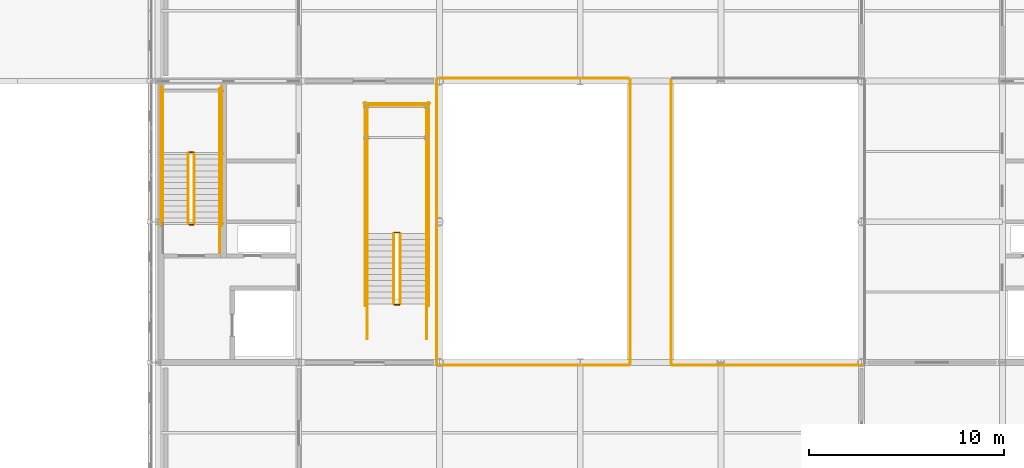
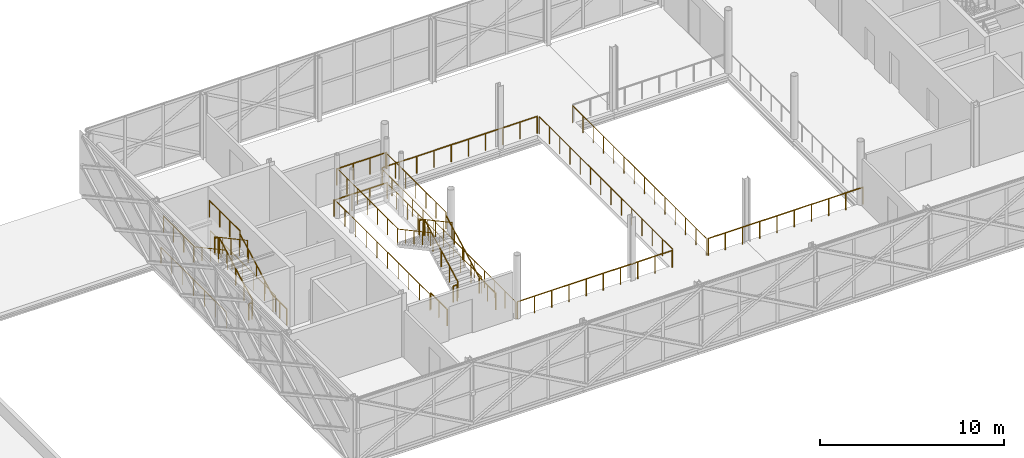
# One storey, part 97 of 103: 31 railings.
"""IFC4 building model written with IfcOpenShell, lengths in metres."""

from ifc_helpers import new_model, si_unit, direction, frame, origin, origin_2d, place, context, subcontext, project, spatial, circle, extrude, material, type_object, element, save


model = new_model("IFC4")

# Units and contexts
model_context = context("Model", 3, precision=1e-05, world=origin(), true_north=direction((0.0, 1.0)))
body_context = subcontext(model_context, "Body", "Model", "MODEL_VIEW")
ifc_project = project(units=[si_unit("LENGTHUNIT", "METRE"), si_unit("AREAUNIT", "SQUARE_METRE"), si_unit("VOLUMEUNIT", "CUBIC_METRE"), si_unit("PLANEANGLEUNIT", "RADIAN"), si_unit("MASSUNIT", "GRAM", prefix="KILO")], contexts=[model_context])

# Site, building, storey
site_placement = place(None, origin())
site = spatial("IfcSite", under=ifc_project, at=site_placement, CompositionType="ELEMENT")
building_placement = place(site_placement, origin())
building = spatial("IfcBuilding", under=site, at=building_placement, Name="Zlatovets Crest Museum", CompositionType="ELEMENT")
storey_placement = place(building_placement, frame((0.0, 0.0, 12.89990234375)))
storey = spatial("IfcBuildingStorey", under=building, at=storey_placement, Name="L03", CompositionType="ELEMENT", Elevation=12.89990234375)

# Railings
ifc_material_1 = material(Name="Art Nouveau bronze and laminated glass atrium balustrade", Category="glass")
railing_type_1 = type_object("IfcRailingType", Name="AtriumGuard_AG01", PredefinedType="BALUSTRADE", material=ifc_material_1)
railing_1_placement = place(storey_placement, frame((70.0, 10.199951171875, 0.16162109375)))
element("IfcRailing", 1, at=railing_1_placement, inside=storey, type_object=railing_type_1, Name="L03 ST6 stair guard 1", PredefinedType="BALUSTRADE", context=body_context, shape_type="SweptSolid", body=[
    extrude(circle(Radius=0.02392578125, at=origin_2d()), frame((0.0, 0.0, 1.076171875), z_axis=(0.0, 0.880474934443, 0.474092701714), x_axis=(-1.0, 0.0, 0.0)), (0.0, 0.0, 1.0), 4.0888671875),
    extrude(circle(Radius=0.02099609375, at=origin_2d()), origin(), (0.0, 0.0, 1.0), 1.052001953125),
    extrude(circle(Radius=0.02099609375, at=origin_2d()), frame((0.0, 0.89990234375, 0.484619140625)), (0.0, 0.0, 1.0), 1.052001953125),
    extrude(circle(Radius=0.02099609375, at=origin_2d()), frame((0.0, 1.800048828125, 0.96923828125)), (0.0, 0.0, 1.0), 1.052001953125),
    extrude(circle(Radius=0.02099609375, at=origin_2d()), frame((0.0, 2.7001953125, 1.453857421875)), (0.0, 0.0, 1.0), 1.052001953125),
    extrude(circle(Radius=0.02099609375, at=origin_2d()), frame((0.0, 3.60009765625, 1.9384765625)), (0.0, 0.0, 1.0), 1.052001953125),
])
railing_2_placement = place(storey_placement, frame((69.949951171875, 13.85009765625, 2.10009765625)))
element("IfcRailing", 2, at=railing_2_placement, inside=storey, type_object=railing_type_1, Name="L03 ST6 stair guard 2", PredefinedType="BALUSTRADE", context=body_context, shape_type="SweptSolid", body=[
    extrude(circle(Radius=0.02392578125, at=origin_2d()), frame((0.0, 0.0, 1.076171875), z_axis=(-1.0, 0.0, 0.0), x_axis=(0.0, -1.0, 0.0)), (0.0, 0.0, 1.0), 0.25),
    extrude(circle(Radius=0.02099609375, at=origin_2d()), origin(), (0.0, 0.0, 1.0), 1.052001953125),
    extrude(circle(Radius=0.02099609375, at=origin_2d()), frame((-0.25, 0.0, 0.0)), (0.0, 0.0, 1.0), 1.052001953125),
])
for number, where, name in (
    (3, (71.35009765625, 13.800048828125, 2.10009765625), "L03 ST6 stair guard 3"),
    (4, (68.300048828125, 13.800048828125, 2.10009765625), "L03 ST6 stair guard 4"),
):
    element("IfcRailing", number, at=place(storey_placement, frame(where)), inside=storey, type_object=railing_type_1, Name=name, PredefinedType="BALUSTRADE", context=body_context, shape_type="SweptSolid", body=[
        extrude(circle(Radius=0.02392578125, at=origin_2d()), frame((0.0, 0.0, 1.076171875), z_axis=(0.0, 1.0, 0.0), x_axis=(-1.0, 0.0, 0.0)), (0.0, 0.0, 1.0), 6.599853515625),
        extrude(circle(Radius=0.02099609375, at=origin_2d()), origin(), (0.0, 0.0, 1.0), 1.052001953125),
        extrude(circle(Radius=0.02099609375, at=origin_2d()), frame((0.0, 1.10009765625, 0.0)), (0.0, 0.0, 1.0), 1.052001953125),
        extrude(circle(Radius=0.02099609375, at=origin_2d()), frame((0.0, 2.199951171875, 0.0)), (0.0, 0.0, 1.0), 1.052001953125),
        extrude(circle(Radius=0.02099609375, at=origin_2d()), frame((0.0, 3.2998046875, 0.0)), (0.0, 0.0, 1.0), 1.052001953125),
        extrude(circle(Radius=0.02099609375, at=origin_2d()), frame((0.0, 4.39990234375, 0.0)), (0.0, 0.0, 1.0), 1.052001953125),
        extrude(circle(Radius=0.02099609375, at=origin_2d()), frame((0.0, 5.5, 0.0)), (0.0, 0.0, 1.0), 1.052001953125),
        extrude(circle(Radius=0.02099609375, at=origin_2d()), frame((0.0, 6.599853515625, 0.0)), (0.0, 0.0, 1.0), 1.052001953125),
    ])
railing_3_placement = place(storey_placement, frame((71.39990234375, 20.35009765625, 2.10009765625)))
element("IfcRailing", 5, at=railing_3_placement, inside=storey, type_object=railing_type_1, Name="L03 ST6 stair guard 5", PredefinedType="BALUSTRADE", context=body_context, shape_type="SweptSolid", body=[
    extrude(circle(Radius=0.02392578125, at=origin_2d()), frame((0.0, 0.0, 1.076171875), z_axis=(-1.0, 0.0, 0.0), x_axis=(0.0, -1.0, 0.0)), (0.0, 0.0, 1.0), 3.14990234375),
    extrude(circle(Radius=0.02099609375, at=origin_2d()), origin(), (0.0, 0.0, 1.0), 1.052001953125),
    extrude(circle(Radius=0.02099609375, at=origin_2d()), frame((-1.050048828125, 0.0, 0.0)), (0.0, 0.0, 1.0), 1.052001953125),
    extrude(circle(Radius=0.02099609375, at=origin_2d()), frame((-2.099853515625, 0.0, 0.0)), (0.0, 0.0, 1.0), 1.052001953125),
    extrude(circle(Radius=0.02099609375, at=origin_2d()), frame((-3.14990234375, 0.0, 0.0)), (0.0, 0.0, 1.0), 1.052001953125),
])
railing_4_placement = place(storey_placement, frame((69.64990234375, 13.800048828125, 2.26171875)))
element("IfcRailing", 6, at=railing_4_placement, inside=storey, type_object=railing_type_1, Name="L03 ST6 stair guard 6", PredefinedType="BALUSTRADE", context=body_context, shape_type="SweptSolid", body=[
    extrude(circle(Radius=0.02392578125, at=origin_2d()), frame((0.0, 0.0, 1.076171875), z_axis=(0.0, -0.880474934443, 0.474092701714), x_axis=(1.0, 0.0, 0.0)), (0.0, 0.0, 1.0), 4.0888671875),
    extrude(circle(Radius=0.02099609375, at=origin_2d()), origin(), (0.0, 0.0, 1.0), 1.052001953125),
    extrude(circle(Radius=0.02099609375, at=origin_2d()), frame((0.0, -0.89990234375, 0.484619140625)), (0.0, 0.0, 1.0), 1.052001953125),
    extrude(circle(Radius=0.02099609375, at=origin_2d()), frame((0.0, -1.800048828125, 0.96923828125)), (0.0, 0.0, 1.0), 1.052001953125),
    extrude(circle(Radius=0.02099609375, at=origin_2d()), frame((0.0, -2.7001953125, 1.453857421875)), (0.0, 0.0, 1.0), 1.052001953125),
    extrude(circle(Radius=0.02099609375, at=origin_2d()), frame((0.0, -3.60009765625, 1.9384765625)), (0.0, 0.0, 1.0), 1.052001953125),
])
railing_5_placement = place(storey_placement, frame((69.949951171875, 10.14990234375, 0.0)))
element("IfcRailing", 7, at=railing_5_placement, inside=storey, type_object=railing_type_1, Name="L03 ST6 stair guard 7", PredefinedType="BALUSTRADE", context=body_context, shape_type="SweptSolid", body=[
    extrude(circle(Radius=0.02392578125, at=origin_2d()), frame((0.0, 0.0, 1.076171875), z_axis=(-1.0, 0.0, 0.0), x_axis=(0.0, -1.0, 0.0)), (0.0, 0.0, 1.0), 0.25),
    extrude(circle(Radius=0.02099609375, at=origin_2d()), origin(), (0.0, 0.0, 1.0), 1.052001953125),
    extrude(circle(Radius=0.02099609375, at=origin_2d()), frame((-0.25, 0.0, 0.0)), (0.0, 0.0, 1.0), 1.052001953125),
])
for number, where, name in (
    (8, (71.35009765625, 8.39990234375, 0.0), "L03 ST6 stair guard 8"),
    (9, (68.300048828125, 8.39990234375, 0.0), "L03 ST6 stair guard 9"),
):
    element("IfcRailing", number, at=place(storey_placement, frame(where)), inside=storey, type_object=railing_type_1, Name=name, PredefinedType="BALUSTRADE", context=body_context, shape_type="SweptSolid", body=[
        extrude(circle(Radius=0.02392578125, at=origin_2d()), frame((0.0, 0.0, 1.076171875), z_axis=(0.0, 1.0, 0.0), x_axis=(-1.0, 0.0, 0.0)), (0.0, 0.0, 1.0), 1.800048828125),
        extrude(circle(Radius=0.02099609375, at=origin_2d()), origin(), (0.0, 0.0, 1.0), 1.052001953125),
        extrude(circle(Radius=0.02099609375, at=origin_2d()), frame((0.0, 0.89990234375, 0.0)), (0.0, 0.0, 1.0), 1.052001953125),
        extrude(circle(Radius=0.02099609375, at=origin_2d()), frame((0.0, 1.800048828125, 0.0)), (0.0, 0.0, 1.0), 1.052001953125),
    ])
for number, where, name in (
    (10, (71.449951171875, 10.10009765625, 0.0), "L03 ST6 stair guard 10"),
    (11, (68.199951171875, 10.10009765625, 0.0), "L03 ST6 stair guard 11"),
):
    element("IfcRailing", number, at=place(storey_placement, frame(where)), inside=storey, type_object=railing_type_1, Name=name, PredefinedType="BALUSTRADE", context=body_context, shape_type="SweptSolid", body=[
        extrude(circle(Radius=0.02392578125, at=origin_2d()), frame((0.0, 0.0, 1.076171875), z_axis=(0.0, 1.0, 0.0), x_axis=(-1.0, 0.0, 0.0)), (0.0, 0.0, 1.0), 10.39990234375),
        extrude(circle(Radius=0.02099609375, at=origin_2d()), origin(), (0.0, 0.0, 1.0), 1.052001953125),
        extrude(circle(Radius=0.02099609375, at=origin_2d()), frame((0.0, 1.155517578125, 0.0)), (0.0, 0.0, 1.0), 1.052001953125),
        extrude(circle(Radius=0.02099609375, at=origin_2d()), frame((0.0, 2.31103515625, 0.0)), (0.0, 0.0, 1.0), 1.052001953125),
        extrude(circle(Radius=0.02099609375, at=origin_2d()), frame((0.0, 3.466552734375, 0.0)), (0.0, 0.0, 1.0), 1.052001953125),
        extrude(circle(Radius=0.02099609375, at=origin_2d()), frame((0.0, 4.6220703125, 0.0)), (0.0, 0.0, 1.0), 1.052001953125),
        extrude(circle(Radius=0.02099609375, at=origin_2d()), frame((0.0, 5.77783203125, 0.0)), (0.0, 0.0, 1.0), 1.052001953125),
        extrude(circle(Radius=0.02099609375, at=origin_2d()), frame((0.0, 6.933349609375, 0.0)), (0.0, 0.0, 1.0), 1.052001953125),
        extrude(circle(Radius=0.02099609375, at=origin_2d()), frame((0.0, 8.0888671875, 0.0)), (0.0, 0.0, 1.0), 1.052001953125),
        extrude(circle(Radius=0.02099609375, at=origin_2d()), frame((0.0, 9.244384765625, 0.0)), (0.0, 0.0, 1.0), 1.052001953125),
        extrude(circle(Radius=0.02099609375, at=origin_2d()), frame((0.0, 10.39990234375, 0.0)), (0.0, 0.0, 1.0), 1.052001953125),
    ])
railing_6_placement = place(storey_placement, frame((71.5, 20.449951171875, 0.0)))
element("IfcRailing", 12, at=railing_6_placement, inside=storey, type_object=railing_type_1, Name="L03 ST6 stair guard 12", PredefinedType="BALUSTRADE", context=body_context, shape_type="SweptSolid", body=[
    extrude(circle(Radius=0.02392578125, at=origin_2d()), frame((0.0, 0.0, 1.076171875), z_axis=(-1.0, 0.0, 0.0), x_axis=(0.0, -1.0, 0.0)), (0.0, 0.0, 1.0), 3.35009765625),
    extrude(circle(Radius=0.02099609375, at=origin_2d()), origin(), (0.0, 0.0, 1.0), 1.052001953125),
    extrude(circle(Radius=0.02099609375, at=origin_2d()), frame((-1.11669921875, 0.0, 0.0)), (0.0, 0.0, 1.0), 1.052001953125),
    extrude(circle(Radius=0.02099609375, at=origin_2d()), frame((-2.2333984375, 0.0, 0.0)), (0.0, 0.0, 1.0), 1.052001953125),
    extrude(circle(Radius=0.02099609375, at=origin_2d()), frame((-3.35009765625, 0.0, 0.0)), (0.0, 0.0, 1.0), 1.052001953125),
])
railing_7_placement = place(storey_placement, frame((71.929931640625, 7.050048828125, 0.0)))
element("IfcRailing", 13, at=railing_7_placement, inside=storey, type_object=railing_type_1, Name="Atrium West Void Balustrade L03 S", PredefinedType="BALUSTRADE", context=body_context, shape_type="SweptSolid", body=[
    extrude(circle(Radius=0.02392578125, at=origin_2d()), frame((0.0, 0.0, 1.1259765625), z_axis=(1.0, 0.0, 0.0), x_axis=(0.0, 1.0, 0.0)), (0.0, 0.0, 1.0), 9.739990234375),
    extrude(circle(Radius=0.02099609375, at=origin_2d()), origin(), (0.0, 0.0, 1.0), 1.101806640625),
    extrude(circle(Radius=0.02099609375, at=origin_2d()), frame((1.082275390625, 0.0, 0.0)), (0.0, 0.0, 1.0), 1.101806640625),
    extrude(circle(Radius=0.02099609375, at=origin_2d()), frame((2.16455078125, 0.0, 0.0)), (0.0, 0.0, 1.0), 1.101806640625),
    extrude(circle(Radius=0.02099609375, at=origin_2d()), frame((3.24658203125, 0.0, 0.0)), (0.0, 0.0, 1.0), 1.101806640625),
    extrude(circle(Radius=0.02099609375, at=origin_2d()), frame((4.328857421875, 0.0, 0.0)), (0.0, 0.0, 1.0), 1.101806640625),
    extrude(circle(Radius=0.02099609375, at=origin_2d()), frame((5.4111328125, 0.0, 0.0)), (0.0, 0.0, 1.0), 1.101806640625),
    extrude(circle(Radius=0.02099609375, at=origin_2d()), frame((6.493408203125, 0.0, 0.0)), (0.0, 0.0, 1.0), 1.101806640625),
    extrude(circle(Radius=0.02099609375, at=origin_2d()), frame((7.575439453125, 0.0, 0.0)), (0.0, 0.0, 1.0), 1.101806640625),
    extrude(circle(Radius=0.02099609375, at=origin_2d()), frame((8.65771484375, 0.0, 0.0)), (0.0, 0.0, 1.0), 1.101806640625),
    extrude(circle(Radius=0.02099609375, at=origin_2d()), frame((9.739990234375, 0.0, 0.0)), (0.0, 0.0, 1.0), 1.101806640625),
])
railing_8_placement = place(storey_placement, frame((81.75, 7.1298828125, 0.0)))
element("IfcRailing", 14, at=railing_8_placement, inside=storey, type_object=railing_type_1, Name="Atrium West Void Balustrade L03 E", PredefinedType="BALUSTRADE", context=body_context, shape_type="SweptSolid", body=[
    extrude(circle(Radius=0.02392578125, at=origin_2d()), frame((0.0, 0.0, 1.1259765625), z_axis=(0.0, 1.0, 0.0), x_axis=(-1.0, 0.0, 0.0)), (0.0, 0.0, 1.0), 14.5400390625),
    extrude(circle(Radius=0.02099609375, at=origin_2d()), origin(), (0.0, 0.0, 1.0), 1.101806640625),
    extrude(circle(Radius=0.02099609375, at=origin_2d()), frame((0.0, 1.118408203125, 0.0)), (0.0, 0.0, 1.0), 1.101806640625),
    extrude(circle(Radius=0.02099609375, at=origin_2d()), frame((0.0, 2.23681640625, 0.0)), (0.0, 0.0, 1.0), 1.101806640625),
    extrude(circle(Radius=0.02099609375, at=origin_2d()), frame((0.0, 3.35546875, 0.0)), (0.0, 0.0, 1.0), 1.101806640625),
    extrude(circle(Radius=0.02099609375, at=origin_2d()), frame((0.0, 4.473876953125, 0.0)), (0.0, 0.0, 1.0), 1.101806640625),
    extrude(circle(Radius=0.02099609375, at=origin_2d()), frame((0.0, 5.59228515625, 0.0)), (0.0, 0.0, 1.0), 1.101806640625),
    extrude(circle(Radius=0.02099609375, at=origin_2d()), frame((0.0, 6.710693359375, 0.0)), (0.0, 0.0, 1.0), 1.101806640625),
    extrude(circle(Radius=0.02099609375, at=origin_2d()), frame((0.0, 7.829345703125, 0.0)), (0.0, 0.0, 1.0), 1.101806640625),
    extrude(circle(Radius=0.02099609375, at=origin_2d()), frame((0.0, 8.94775390625, 0.0)), (0.0, 0.0, 1.0), 1.101806640625),
    extrude(circle(Radius=0.02099609375, at=origin_2d()), frame((0.0, 10.066162109375, 0.0)), (0.0, 0.0, 1.0), 1.101806640625),
    extrude(circle(Radius=0.02099609375, at=origin_2d()), frame((0.0, 11.1845703125, 0.0)), (0.0, 0.0, 1.0), 1.101806640625),
    extrude(circle(Radius=0.02099609375, at=origin_2d()), frame((0.0, 12.30322265625, 0.0)), (0.0, 0.0, 1.0), 1.101806640625),
    extrude(circle(Radius=0.02099609375, at=origin_2d()), frame((0.0, 13.421630859375, 0.0)), (0.0, 0.0, 1.0), 1.101806640625),
    extrude(circle(Radius=0.02099609375, at=origin_2d()), frame((0.0, 14.5400390625, 0.0)), (0.0, 0.0, 1.0), 1.101806640625),
])
railing_9_placement = place(storey_placement, frame((81.669921875, 21.75, 0.0)))
element("IfcRailing", 15, at=railing_9_placement, inside=storey, type_object=railing_type_1, Name="Atrium West Void Balustrade L03 N", PredefinedType="BALUSTRADE", context=body_context, shape_type="SweptSolid", body=[
    extrude(circle(Radius=0.02392578125, at=origin_2d()), frame((0.0, 0.0, 1.1259765625), z_axis=(-1.0, 0.0, 0.0), x_axis=(0.0, -1.0, 0.0)), (0.0, 0.0, 1.0), 9.739990234375),
    extrude(circle(Radius=0.02099609375, at=origin_2d()), origin(), (0.0, 0.0, 1.0), 1.101806640625),
    extrude(circle(Radius=0.02099609375, at=origin_2d()), frame((-1.082275390625, 0.0, 0.0)), (0.0, 0.0, 1.0), 1.101806640625),
    extrude(circle(Radius=0.02099609375, at=origin_2d()), frame((-2.16455078125, 0.0, 0.0)), (0.0, 0.0, 1.0), 1.101806640625),
    extrude(circle(Radius=0.02099609375, at=origin_2d()), frame((-3.24658203125, 0.0, 0.0)), (0.0, 0.0, 1.0), 1.101806640625),
    extrude(circle(Radius=0.02099609375, at=origin_2d()), frame((-4.328857421875, 0.0, 0.0)), (0.0, 0.0, 1.0), 1.101806640625),
    extrude(circle(Radius=0.02099609375, at=origin_2d()), frame((-5.4111328125, 0.0, 0.0)), (0.0, 0.0, 1.0), 1.101806640625),
    extrude(circle(Radius=0.02099609375, at=origin_2d()), frame((-6.493408203125, 0.0, 0.0)), (0.0, 0.0, 1.0), 1.101806640625),
    extrude(circle(Radius=0.02099609375, at=origin_2d()), frame((-7.575439453125, 0.0, 0.0)), (0.0, 0.0, 1.0), 1.101806640625),
    extrude(circle(Radius=0.02099609375, at=origin_2d()), frame((-8.65771484375, 0.0, 0.0)), (0.0, 0.0, 1.0), 1.101806640625),
    extrude(circle(Radius=0.02099609375, at=origin_2d()), frame((-9.739990234375, 0.0, 0.0)), (0.0, 0.0, 1.0), 1.101806640625),
])
railing_10_placement = place(storey_placement, frame((71.85009765625, 21.669921875, 0.0)))
element("IfcRailing", 16, at=railing_10_placement, inside=storey, type_object=railing_type_1, Name="Atrium West Void Balustrade L03 W", PredefinedType="BALUSTRADE", context=body_context, shape_type="SweptSolid", body=[
    extrude(circle(Radius=0.02392578125, at=origin_2d()), frame((0.0, 0.0, 1.1259765625), z_axis=(0.0, -1.0, 0.0), x_axis=(1.0, 0.0, 0.0)), (0.0, 0.0, 1.0), 14.5400390625),
    extrude(circle(Radius=0.02099609375, at=origin_2d()), origin(), (0.0, 0.0, 1.0), 1.101806640625),
    extrude(circle(Radius=0.02099609375, at=origin_2d()), frame((0.0, -1.118408203125, 0.0)), (0.0, 0.0, 1.0), 1.101806640625),
    extrude(circle(Radius=0.02099609375, at=origin_2d()), frame((0.0, -2.23681640625, 0.0)), (0.0, 0.0, 1.0), 1.101806640625),
    extrude(circle(Radius=0.02099609375, at=origin_2d()), frame((0.0, -3.35546875, 0.0)), (0.0, 0.0, 1.0), 1.101806640625),
    extrude(circle(Radius=0.02099609375, at=origin_2d()), frame((0.0, -4.473876953125, 0.0)), (0.0, 0.0, 1.0), 1.101806640625),
    extrude(circle(Radius=0.02099609375, at=origin_2d()), frame((0.0, -5.59228515625, 0.0)), (0.0, 0.0, 1.0), 1.101806640625),
    extrude(circle(Radius=0.02099609375, at=origin_2d()), frame((0.0, -6.710693359375, 0.0)), (0.0, 0.0, 1.0), 1.101806640625),
    extrude(circle(Radius=0.02099609375, at=origin_2d()), frame((0.0, -7.829345703125, 0.0)), (0.0, 0.0, 1.0), 1.101806640625),
    extrude(circle(Radius=0.02099609375, at=origin_2d()), frame((0.0, -8.94775390625, 0.0)), (0.0, 0.0, 1.0), 1.101806640625),
    extrude(circle(Radius=0.02099609375, at=origin_2d()), frame((0.0, -10.066162109375, 0.0)), (0.0, 0.0, 1.0), 1.101806640625),
    extrude(circle(Radius=0.02099609375, at=origin_2d()), frame((0.0, -11.1845703125, 0.0)), (0.0, 0.0, 1.0), 1.101806640625),
    extrude(circle(Radius=0.02099609375, at=origin_2d()), frame((0.0, -12.30322265625, 0.0)), (0.0, 0.0, 1.0), 1.101806640625),
    extrude(circle(Radius=0.02099609375, at=origin_2d()), frame((0.0, -13.421630859375, 0.0)), (0.0, 0.0, 1.0), 1.101806640625),
    extrude(circle(Radius=0.02099609375, at=origin_2d()), frame((0.0, -14.5400390625, 0.0)), (0.0, 0.0, 1.0), 1.101806640625),
])
railing_11_placement = place(storey_placement, frame((83.929931640625, 7.050048828125, 0.0)))
element("IfcRailing", 17, at=railing_11_placement, inside=storey, type_object=railing_type_1, Name="Atrium East Void Balustrade L03 S", PredefinedType="BALUSTRADE", context=body_context, shape_type="SweptSolid", body=[
    extrude(circle(Radius=0.02392578125, at=origin_2d()), frame((0.0, 0.0, 1.1259765625), z_axis=(1.0, 0.0, 0.0), x_axis=(0.0, 1.0, 0.0)), (0.0, 0.0, 1.0), 9.739990234375),
    extrude(circle(Radius=0.02099609375, at=origin_2d()), origin(), (0.0, 0.0, 1.0), 1.101806640625),
    extrude(circle(Radius=0.02099609375, at=origin_2d()), frame((1.082275390625, 0.0, 0.0)), (0.0, 0.0, 1.0), 1.101806640625),
    extrude(circle(Radius=0.02099609375, at=origin_2d()), frame((2.16455078125, 0.0, 0.0)), (0.0, 0.0, 1.0), 1.101806640625),
    extrude(circle(Radius=0.02099609375, at=origin_2d()), frame((3.24658203125, 0.0, 0.0)), (0.0, 0.0, 1.0), 1.101806640625),
    extrude(circle(Radius=0.02099609375, at=origin_2d()), frame((4.328857421875, 0.0, 0.0)), (0.0, 0.0, 1.0), 1.101806640625),
    extrude(circle(Radius=0.02099609375, at=origin_2d()), frame((5.4111328125, 0.0, 0.0)), (0.0, 0.0, 1.0), 1.101806640625),
    extrude(circle(Radius=0.02099609375, at=origin_2d()), frame((6.493408203125, 0.0, 0.0)), (0.0, 0.0, 1.0), 1.101806640625),
    extrude(circle(Radius=0.02099609375, at=origin_2d()), frame((7.575439453125, 0.0, 0.0)), (0.0, 0.0, 1.0), 1.101806640625),
    extrude(circle(Radius=0.02099609375, at=origin_2d()), frame((8.65771484375, 0.0, 0.0)), (0.0, 0.0, 1.0), 1.101806640625),
    extrude(circle(Radius=0.02099609375, at=origin_2d()), frame((9.739990234375, 0.0, 0.0)), (0.0, 0.0, 1.0), 1.101806640625),
])
railing_12_placement = place(storey_placement, frame((83.85009765625, 21.669921875, 0.0)))
element("IfcRailing", 18, at=railing_12_placement, inside=storey, type_object=railing_type_1, Name="Atrium East Void Balustrade L03 W", PredefinedType="BALUSTRADE", context=body_context, shape_type="SweptSolid", body=[
    extrude(circle(Radius=0.02392578125, at=origin_2d()), frame((0.0, 0.0, 1.1259765625), z_axis=(0.0, -1.0, 0.0), x_axis=(1.0, 0.0, 0.0)), (0.0, 0.0, 1.0), 14.5400390625),
    extrude(circle(Radius=0.02099609375, at=origin_2d()), origin(), (0.0, 0.0, 1.0), 1.101806640625),
    extrude(circle(Radius=0.02099609375, at=origin_2d()), frame((0.0, -1.118408203125, 0.0)), (0.0, 0.0, 1.0), 1.101806640625),
    extrude(circle(Radius=0.02099609375, at=origin_2d()), frame((0.0, -2.23681640625, 0.0)), (0.0, 0.0, 1.0), 1.101806640625),
    extrude(circle(Radius=0.02099609375, at=origin_2d()), frame((0.0, -3.35546875, 0.0)), (0.0, 0.0, 1.0), 1.101806640625),
    extrude(circle(Radius=0.02099609375, at=origin_2d()), frame((0.0, -4.473876953125, 0.0)), (0.0, 0.0, 1.0), 1.101806640625),
    extrude(circle(Radius=0.02099609375, at=origin_2d()), frame((0.0, -5.59228515625, 0.0)), (0.0, 0.0, 1.0), 1.101806640625),
    extrude(circle(Radius=0.02099609375, at=origin_2d()), frame((0.0, -6.710693359375, 0.0)), (0.0, 0.0, 1.0), 1.101806640625),
    extrude(circle(Radius=0.02099609375, at=origin_2d()), frame((0.0, -7.829345703125, 0.0)), (0.0, 0.0, 1.0), 1.101806640625),
    extrude(circle(Radius=0.02099609375, at=origin_2d()), frame((0.0, -8.94775390625, 0.0)), (0.0, 0.0, 1.0), 1.101806640625),
    extrude(circle(Radius=0.02099609375, at=origin_2d()), frame((0.0, -10.066162109375, 0.0)), (0.0, 0.0, 1.0), 1.101806640625),
    extrude(circle(Radius=0.02099609375, at=origin_2d()), frame((0.0, -11.1845703125, 0.0)), (0.0, 0.0, 1.0), 1.101806640625),
    extrude(circle(Radius=0.02099609375, at=origin_2d()), frame((0.0, -12.30322265625, 0.0)), (0.0, 0.0, 1.0), 1.101806640625),
    extrude(circle(Radius=0.02099609375, at=origin_2d()), frame((0.0, -13.421630859375, 0.0)), (0.0, 0.0, 1.0), 1.101806640625),
    extrude(circle(Radius=0.02099609375, at=origin_2d()), frame((0.0, -14.5400390625, 0.0)), (0.0, 0.0, 1.0), 1.101806640625),
])
ifc_material_2 = material(Name="Painted steel safety guardrail", Category="steel")
railing_type_2 = type_object("IfcRailingType", Name="StairGuard_SG01", PredefinedType="GUARDRAIL", material=ifc_material_2)
railing_13_placement = place(storey_placement, frame((59.449951171875, 14.300048828125, 0.16162109375)))
element("IfcRailing", 19, at=railing_13_placement, inside=storey, type_object=railing_type_2, Name="L03 ST2 stair guard 1", PredefinedType="GUARDRAIL", context=body_context, shape_type="SweptSolid", body=[
    extrude(circle(Radius=0.02392578125, at=origin_2d()), frame((0.0, 0.0, 1.076171875), z_axis=(0.0, 0.880461512865, 0.474117627138), x_axis=(-1.0, 0.0, 0.0)), (0.0, 0.0, 1.0), 4.088623046875),
    extrude(circle(Radius=0.02099609375, at=origin_2d()), origin(), (0.0, 0.0, 1.0), 1.052001953125),
    extrude(circle(Radius=0.02099609375, at=origin_2d()), frame((0.0, 0.89990234375, 0.484619140625)), (0.0, 0.0, 1.0), 1.052001953125),
    extrude(circle(Radius=0.02099609375, at=origin_2d()), frame((0.0, 1.7998046875, 0.96923828125)), (0.0, 0.0, 1.0), 1.052001953125),
    extrude(circle(Radius=0.02099609375, at=origin_2d()), frame((0.0, 2.699951171875, 1.453857421875)), (0.0, 0.0, 1.0), 1.052001953125),
    extrude(circle(Radius=0.02099609375, at=origin_2d()), frame((0.0, 3.599853515625, 1.9384765625)), (0.0, 0.0, 1.0), 1.052001953125),
])
railing_14_placement = place(storey_placement, frame((59.39990234375, 17.949951171875, 2.10009765625)))
element("IfcRailing", 20, at=railing_14_placement, inside=storey, type_object=railing_type_2, Name="L03 ST2 stair guard 2", PredefinedType="GUARDRAIL", context=body_context, shape_type="SweptSolid", body=[
    extrude(circle(Radius=0.02392578125, at=origin_2d()), frame((0.0, 0.0, 1.076171875), z_axis=(-1.0, 0.0, 0.0), x_axis=(0.0, -1.0, 0.0)), (0.0, 0.0, 1.0), 0.199951171875),
    extrude(circle(Radius=0.02099609375, at=origin_2d()), origin(), (0.0, 0.0, 1.0), 1.052001953125),
    extrude(circle(Radius=0.02099609375, at=origin_2d()), frame((-0.199951171875, 0.0, 0.0)), (0.0, 0.0, 1.0), 1.052001953125),
])
for number, where, name in (
    (21, (60.75, 17.89990234375, 2.10009765625), "L03 ST2 stair guard 3"),
    (22, (57.85009765625, 17.89990234375, 2.10009765625), "L03 ST2 stair guard 4"),
):
    element("IfcRailing", number, at=place(storey_placement, frame(where)), inside=storey, type_object=railing_type_2, Name=name, PredefinedType="GUARDRAIL", context=body_context, shape_type="SweptSolid", body=[
        extrude(circle(Radius=0.02392578125, at=origin_2d()), frame((0.0, 0.0, 1.076171875), z_axis=(0.0, 1.0, 0.0), x_axis=(-1.0, 0.0, 0.0)), (0.0, 0.0, 1.0), 3.300048828125),
        extrude(circle(Radius=0.02099609375, at=origin_2d()), origin(), (0.0, 0.0, 1.0), 1.052001953125),
        extrude(circle(Radius=0.02099609375, at=origin_2d()), frame((0.0, 1.10009765625, 0.0)), (0.0, 0.0, 1.0), 1.052001953125),
        extrude(circle(Radius=0.02099609375, at=origin_2d()), frame((0.0, 2.199951171875, 0.0)), (0.0, 0.0, 1.0), 1.052001953125),
        extrude(circle(Radius=0.02099609375, at=origin_2d()), frame((0.0, 3.300048828125, 0.0)), (0.0, 0.0, 1.0), 1.052001953125),
    ])
railing_15_placement = place(storey_placement, frame((59.14990234375, 17.89990234375, 2.26171875)))
element("IfcRailing", 23, at=railing_15_placement, inside=storey, type_object=railing_type_2, Name="L03 ST2 stair guard 5", PredefinedType="GUARDRAIL", context=body_context, shape_type="SweptSolid", body=[
    extrude(circle(Radius=0.02392578125, at=origin_2d()), frame((0.0, 0.0, 1.076171875), z_axis=(0.0, -0.880461512865, 0.474117627138), x_axis=(1.0, 0.0, 0.0)), (0.0, 0.0, 1.0), 4.088623046875),
    extrude(circle(Radius=0.02099609375, at=origin_2d()), origin(), (0.0, 0.0, 1.0), 1.052001953125),
    extrude(circle(Radius=0.02099609375, at=origin_2d()), frame((0.0, -0.89990234375, 0.484619140625)), (0.0, 0.0, 1.0), 1.052001953125),
    extrude(circle(Radius=0.02099609375, at=origin_2d()), frame((0.0, -1.7998046875, 0.96923828125)), (0.0, 0.0, 1.0), 1.052001953125),
    extrude(circle(Radius=0.02099609375, at=origin_2d()), frame((0.0, -2.699951171875, 1.453857421875)), (0.0, 0.0, 1.0), 1.052001953125),
    extrude(circle(Radius=0.02099609375, at=origin_2d()), frame((0.0, -3.599853515625, 1.9384765625)), (0.0, 0.0, 1.0), 1.052001953125),
])
railing_16_placement = place(storey_placement, frame((59.39990234375, 14.25, 0.0)))
element("IfcRailing", 24, at=railing_16_placement, inside=storey, type_object=railing_type_2, Name="L03 ST2 stair guard 6", PredefinedType="GUARDRAIL", context=body_context, shape_type="SweptSolid", body=[
    extrude(circle(Radius=0.02392578125, at=origin_2d()), frame((0.0, 0.0, 1.076171875), z_axis=(-1.0, 0.0, 0.0), x_axis=(0.0, -1.0, 0.0)), (0.0, 0.0, 1.0), 0.199951171875),
    extrude(circle(Radius=0.02099609375, at=origin_2d()), origin(), (0.0, 0.0, 1.0), 1.052001953125),
    extrude(circle(Radius=0.02099609375, at=origin_2d()), frame((-0.199951171875, 0.0, 0.0)), (0.0, 0.0, 1.0), 1.052001953125),
])
railing_17_placement = place(storey_placement, frame((60.75, 12.800048828125, 0.0)))
element("IfcRailing", 25, at=railing_17_placement, inside=storey, type_object=railing_type_2, Name="L03 ST2 stair guard 7", PredefinedType="GUARDRAIL", context=body_context, shape_type="SweptSolid", body=[
    extrude(circle(Radius=0.02392578125, at=origin_2d()), frame((0.0, 0.0, 1.076171875), z_axis=(0.0, 1.0, 0.0), x_axis=(-1.0, 0.0, 0.0)), (0.0, 0.0, 1.0), 1.5),
    extrude(circle(Radius=0.02099609375, at=origin_2d()), origin(), (0.0, 0.0, 1.0), 1.052001953125),
    extrude(circle(Radius=0.02099609375, at=origin_2d()), frame((0.0, 0.75, 0.0)), (0.0, 0.0, 1.0), 1.052001953125),
    extrude(circle(Radius=0.02099609375, at=origin_2d()), frame((0.0, 1.5, 0.0)), (0.0, 0.0, 1.0), 1.052001953125),
])
for number, where, name in (
    (26, (60.85009765625, 14.199951171875, 0.0), "L03 ST2 stair guard 9"),
    (27, (57.75, 14.199951171875, 0.0), "L03 ST2 stair guard 10"),
):
    element("IfcRailing", number, at=place(storey_placement, frame(where)), inside=storey, type_object=railing_type_2, Name=name, PredefinedType="GUARDRAIL", context=body_context, shape_type="SweptSolid", body=[
        extrude(circle(Radius=0.02392578125, at=origin_2d()), frame((0.0, 0.0, 1.076171875), z_axis=(0.0, 1.0, 0.0), x_axis=(-1.0, 0.0, 0.0)), (0.0, 0.0, 1.0), 7.10009765625),
        extrude(circle(Radius=0.02099609375, at=origin_2d()), origin(), (0.0, 0.0, 1.0), 1.052001953125),
        extrude(circle(Radius=0.02099609375, at=origin_2d()), frame((0.0, 1.183349609375, 0.0)), (0.0, 0.0, 1.0), 1.052001953125),
        extrude(circle(Radius=0.02099609375, at=origin_2d()), frame((0.0, 2.36669921875, 0.0)), (0.0, 0.0, 1.0), 1.052001953125),
        extrude(circle(Radius=0.02099609375, at=origin_2d()), frame((0.0, 3.550048828125, 0.0)), (0.0, 0.0, 1.0), 1.052001953125),
        extrude(circle(Radius=0.02099609375, at=origin_2d()), frame((0.0, 4.7333984375, 0.0)), (0.0, 0.0, 1.0), 1.052001953125),
        extrude(circle(Radius=0.02099609375, at=origin_2d()), frame((0.0, 5.916748046875, 0.0)), (0.0, 0.0, 1.0), 1.052001953125),
        extrude(circle(Radius=0.02099609375, at=origin_2d()), frame((0.0, 7.10009765625, 0.0)), (0.0, 0.0, 1.0), 1.052001953125),
    ])
ifc_material_3 = material(Name="Brushed bronze stair handrail")
railing_type_3 = type_object("IfcRailingType", Name="StairHandrail_SH01", PredefinedType="HANDRAIL", material=ifc_material_3)
railing_18_placement = place(storey_placement, frame((60.75, 14.300048828125, 0.16162109375)))
element("IfcRailing", 28, at=railing_18_placement, inside=storey, type_object=railing_type_3, Name="L03 ST2 stair handrail 1", PredefinedType="HANDRAIL", context=body_context, shape_type="SweptSolid", body=[
    extrude(circle(Radius=0.02392578125, at=origin_2d()), frame((0.0, 0.0, 0.8759765625), z_axis=(0.0, 0.880461512865, 0.474117627138), x_axis=(-1.0, 0.0, 0.0)), (0.0, 0.0, 1.0), 4.088623046875),
    extrude(circle(Radius=0.02099609375, at=origin_2d()), origin(), (0.0, 0.0, 1.0), 0.851806640625),
    extrude(circle(Radius=0.02099609375, at=origin_2d()), frame((0.0, 0.89990234375, 0.484619140625)), (0.0, 0.0, 1.0), 0.851806640625),
    extrude(circle(Radius=0.02099609375, at=origin_2d()), frame((0.0, 1.7998046875, 0.96923828125)), (0.0, 0.0, 1.0), 0.851806640625),
    extrude(circle(Radius=0.02099609375, at=origin_2d()), frame((0.0, 2.699951171875, 1.453857421875)), (0.0, 0.0, 1.0), 0.851806640625),
    extrude(circle(Radius=0.02099609375, at=origin_2d()), frame((0.0, 3.599853515625, 1.9384765625)), (0.0, 0.0, 1.0), 0.851806640625),
])
railing_19_placement = place(storey_placement, frame((57.85009765625, 17.89990234375, 2.26171875)))
element("IfcRailing", 29, at=railing_19_placement, inside=storey, type_object=railing_type_3, Name="L03 ST2 stair handrail 2", PredefinedType="HANDRAIL", context=body_context, shape_type="SweptSolid", body=[
    extrude(circle(Radius=0.02392578125, at=origin_2d()), frame((0.0, 0.0, 0.8759765625), z_axis=(0.0, -0.880461512865, 0.474117627138), x_axis=(1.0, 0.0, 0.0)), (0.0, 0.0, 1.0), 4.088623046875),
    extrude(circle(Radius=0.02099609375, at=origin_2d()), origin(), (0.0, 0.0, 1.0), 0.851806640625),
    extrude(circle(Radius=0.02099609375, at=origin_2d()), frame((0.0, -0.89990234375, 0.484619140625)), (0.0, 0.0, 1.0), 0.851806640625),
    extrude(circle(Radius=0.02099609375, at=origin_2d()), frame((0.0, -1.7998046875, 0.96923828125)), (0.0, 0.0, 1.0), 0.851806640625),
    extrude(circle(Radius=0.02099609375, at=origin_2d()), frame((0.0, -2.699951171875, 1.453857421875)), (0.0, 0.0, 1.0), 0.851806640625),
    extrude(circle(Radius=0.02099609375, at=origin_2d()), frame((0.0, -3.599853515625, 1.9384765625)), (0.0, 0.0, 1.0), 0.851806640625),
])
railing_20_placement = place(storey_placement, frame((71.35009765625, 10.199951171875, 0.16162109375)))
element("IfcRailing", 30, at=railing_20_placement, inside=storey, type_object=railing_type_3, Name="L03 ST6 stair handrail 1", PredefinedType="HANDRAIL", context=body_context, shape_type="SweptSolid", body=[
    extrude(circle(Radius=0.02392578125, at=origin_2d()), frame((0.0, 0.0, 0.8759765625), z_axis=(0.0, 0.880474934443, 0.474092701714), x_axis=(-1.0, 0.0, 0.0)), (0.0, 0.0, 1.0), 4.0888671875),
    extrude(circle(Radius=0.02099609375, at=origin_2d()), origin(), (0.0, 0.0, 1.0), 0.851806640625),
    extrude(circle(Radius=0.02099609375, at=origin_2d()), frame((0.0, 0.89990234375, 0.484619140625)), (0.0, 0.0, 1.0), 0.851806640625),
    extrude(circle(Radius=0.02099609375, at=origin_2d()), frame((0.0, 1.800048828125, 0.96923828125)), (0.0, 0.0, 1.0), 0.851806640625),
    extrude(circle(Radius=0.02099609375, at=origin_2d()), frame((0.0, 2.7001953125, 1.453857421875)), (0.0, 0.0, 1.0), 0.851806640625),
    extrude(circle(Radius=0.02099609375, at=origin_2d()), frame((0.0, 3.60009765625, 1.9384765625)), (0.0, 0.0, 1.0), 0.851806640625),
])
railing_21_placement = place(storey_placement, frame((68.300048828125, 13.800048828125, 2.26171875)))
element("IfcRailing", 31, at=railing_21_placement, inside=storey, type_object=railing_type_3, Name="L03 ST6 stair handrail 2", PredefinedType="HANDRAIL", context=body_context, shape_type="SweptSolid", body=[
    extrude(circle(Radius=0.02392578125, at=origin_2d()), frame((0.0, 0.0, 0.8759765625), z_axis=(0.0, -0.880474934443, 0.474092701714), x_axis=(1.0, 0.0, 0.0)), (0.0, 0.0, 1.0), 4.0888671875),
    extrude(circle(Radius=0.02099609375, at=origin_2d()), origin(), (0.0, 0.0, 1.0), 0.851806640625),
    extrude(circle(Radius=0.02099609375, at=origin_2d()), frame((0.0, -0.89990234375, 0.484619140625)), (0.0, 0.0, 1.0), 0.851806640625),
    extrude(circle(Radius=0.02099609375, at=origin_2d()), frame((0.0, -1.800048828125, 0.96923828125)), (0.0, 0.0, 1.0), 0.851806640625),
    extrude(circle(Radius=0.02099609375, at=origin_2d()), frame((0.0, -2.7001953125, 1.453857421875)), (0.0, 0.0, 1.0), 0.851806640625),
    extrude(circle(Radius=0.02099609375, at=origin_2d()), frame((0.0, -3.60009765625, 1.9384765625)), (0.0, 0.0, 1.0), 0.851806640625),
])

save(model, "model.ifc")
